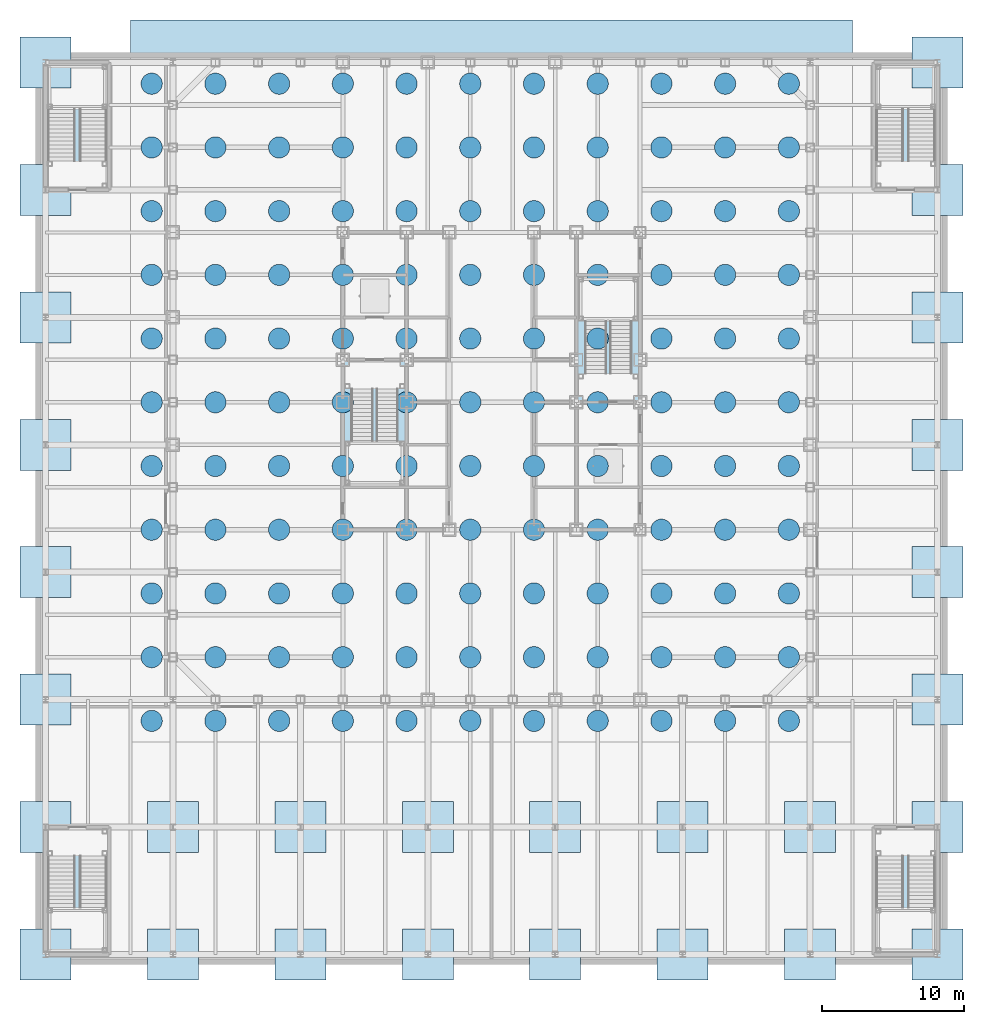
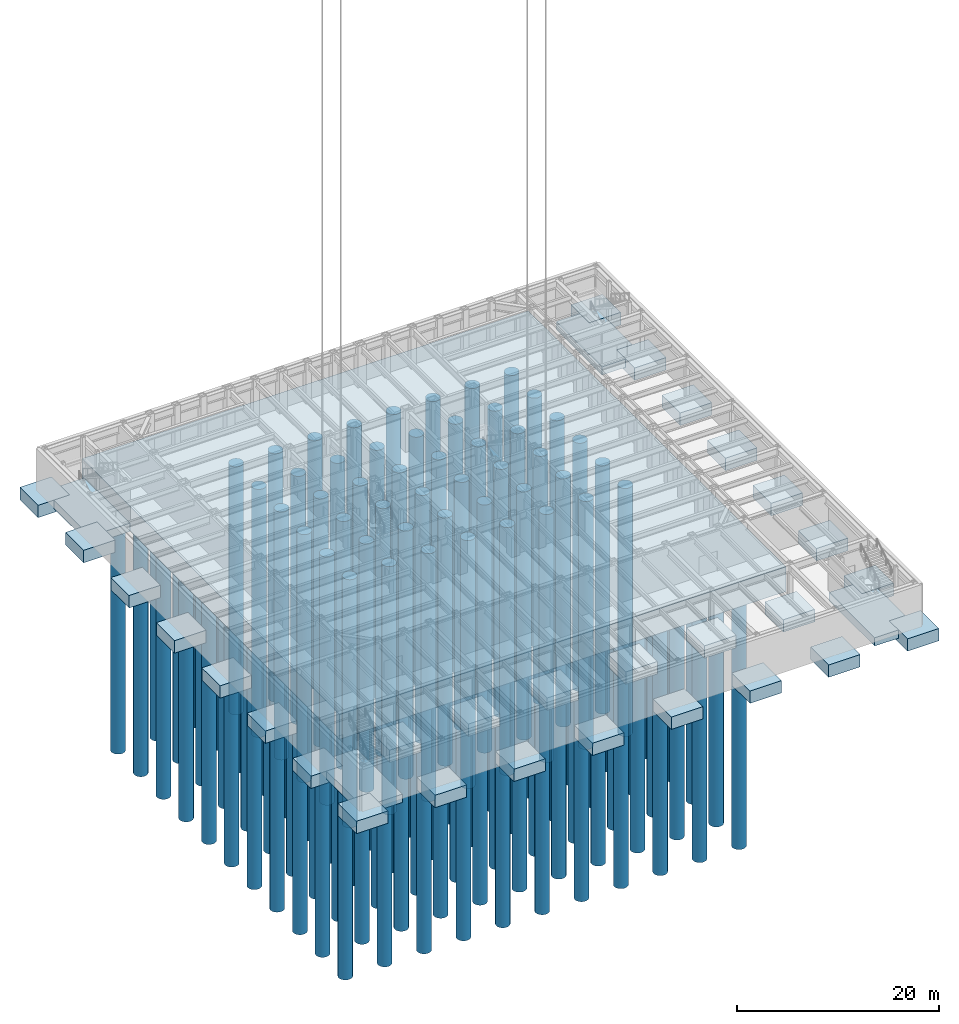
# One storey, part 1 of 18: 121 piles, 33 footings.
"""IFC4 building model written with IfcOpenShell, lengths in metres."""

from ifc_helpers import new_model, si_unit, direction, frame, origin, origin_2d, place, context, subcontext, project, spatial, polyline, rectangle, circle, outline, extrude, material, material_profile, profile_set, type_object, element, save


model = new_model("IFC4")

# Units and contexts
model_context = context("Model", 3, precision=1e-05, world=origin(), true_north=direction((0.0, 1.0)))
body_context = subcontext(model_context, "Body", "Model", "MODEL_VIEW")
ifc_project = project(units=[si_unit("LENGTHUNIT", "METRE"), si_unit("AREAUNIT", "SQUARE_METRE"), si_unit("VOLUMEUNIT", "CUBIC_METRE"), si_unit("PLANEANGLEUNIT", "RADIAN"), si_unit("MASSUNIT", "GRAM", prefix="KILO")], contexts=[model_context])

# Site, building, storey
site_placement = place(None, origin())
site = spatial("IfcSite", under=ifc_project, at=site_placement, CompositionType="ELEMENT")
building_placement = place(site_placement, origin())
building = spatial("IfcBuilding", under=site, at=building_placement, Name="Chuquiago Exchange Tower", CompositionType="ELEMENT")
storey_placement = place(building_placement, frame((0.0, 0.0, -5.0)))
storey = spatial("IfcBuildingStorey", under=building, at=storey_placement, Name="B1", CompositionType="ELEMENT", Elevation=-5.0)

# Footings
ifc_material_1 = material(Name="Concrete C35/45", Category="concrete")
footing_type_1 = type_object("IfcFootingType", Name="F1 pad 3600x3600x1500", PredefinedType="PAD_FOOTING", material=ifc_material_1)
for number, where, z_axis, x_axis, name in (
    (1, (-9.0, -18.0, -1.800048828125), (0.0, 0.0, 1.0), (1.0, 0.0, 0.0), "Pad footing -9_-18"),
    (2, (-9.0, -9.0, -1.800048828125), (0.0, 0.0, 1.0), (1.0, 0.0, 0.0), "Pad footing -9_-9"),
    (3, (-9.0, 0.0, -1.800048828125), (0.0, 0.0, 1.0), (1.0, 0.0, 0.0), "Pad footing -9_0"),
    (4, (-9.0, 9.0, -1.800048828125), (0.0, 0.0, 1.0), (1.0, 0.0, 0.0), "Pad footing -9_9"),
    (5, (-9.0, 18.0, -1.800048828125), (0.0, 0.0, 1.0), (1.0, 0.0, 0.0), "Pad footing -9_18"),
    (6, (-9.0, 27.0, -1.800048828125), (0.0, 0.0, 1.0), (1.0, 0.0, 0.0), "Pad footing -9_27"),
    (7, (-9.0, 36.0, -1.800048828125), (0.0, 0.0, 1.0), (1.0, 0.0, 0.0), "Pad footing -9_36"),
    (8, (-9.0, 45.0, -1.800048828125), (0.0, 0.0, 1.0), (1.0, 0.0, 0.0), "Pad footing -9_45"),
    (9, (0.0, -18.0, -1.800048828125), (0.0, 0.0, 1.0), (1.0, 0.0, 0.0), "Pad footing 0_-18"),
    (10, (0.0, -9.0, -1.800048828125), (0.0, 0.0, 1.0), (1.0, 0.0, 0.0), "Pad footing 0_-9"),
    (11, (9.0, -18.0, -1.800048828125), (0.0, 0.0, 1.0), (1.0, 0.0, 0.0), "Pad footing 9_-18"),
    (12, (9.0, -9.0, -1.800048828125), (0.0, 0.0, 1.0), (1.0, 0.0, 0.0), "Pad footing 9_-9"),
    (13, (18.0, -18.0, -1.800048828125), (0.0, 0.0, 1.0), (1.0, 0.0, 0.0), "Pad footing 18_-18"),
    (14, (18.0, -9.0, -1.800048828125), (0.0, 0.0, 1.0), (1.0, 0.0, 0.0), "Pad footing 18_-9"),
    (15, (27.0, -18.0, -1.800048828125), (0.0, 0.0, 1.0), (1.0, 0.0, 0.0), "Pad footing 27_-18"),
    (16, (27.0, -9.0, -1.800048828125), (0.0, 0.0, 1.0), (1.0, 0.0, 0.0), "Pad footing 27_-9"),
    (17, (36.0, -18.0, -1.800048828125), (0.0, 0.0, 1.0), (1.0, 0.0, 0.0), "Pad footing 36_-18"),
    (18, (36.0, -9.0, -1.800048828125), (0.0, 0.0, 1.0), (1.0, 0.0, 0.0), "Pad footing 36_-9"),
    (19, (45.0, -18.0, -1.800048828125), (0.0, 0.0, 1.0), (1.0, 0.0, 0.0), "Pad footing 45_-18"),
    (20, (45.0, -9.0, -1.800048828125), (0.0, 0.0, 1.0), (1.0, 0.0, 0.0), "Pad footing 45_-9"),
    (21, (54.0, -18.0, -1.800048828125), (0.0, 0.0, 1.0), (1.0, 0.0, 0.0), "Pad footing 54_-18"),
    (22, (54.0, -9.0, -1.800048828125), (0.0, 0.0, 1.0), (1.0, 0.0, 0.0), "Pad footing 54_-9"),
    (23, (54.0, 0.0, -1.800048828125), (0.0, 0.0, 1.0), (1.0, 0.0, 0.0), "Pad footing 54_0"),
    (24, (54.0, 9.0, -1.800048828125), (0.0, 0.0, 1.0), (1.0, 0.0, 0.0), "Pad footing 54_9"),
    (25, (54.0, 18.0, -1.800048828125), (0.0, 0.0, 1.0), (1.0, 0.0, 0.0), "Pad footing 54_18"),
    (26, (54.0, 27.0, -1.800048828125), (0.0, 0.0, 1.0), (1.0, 0.0, 0.0), "Pad footing 54_27"),
    (27, (54.0, 36.0, -1.800048828125), (0.0, 0.0, 1.0), (1.0, 0.0, 0.0), "Pad footing 54_36"),
    (28, (54.0, 45.0, -1.800048828125), (0.0, 0.0, 1.0), (1.0, 0.0, 0.0), "Pad footing 54_45"),
):
    element("IfcFooting", number, at=place(storey_placement, frame(where, z_axis=z_axis, x_axis=x_axis)), inside=storey, type_object=footing_type_1, Name=name, PredefinedType="PAD_FOOTING", context=body_context, shape_type="SweptSolid", body=[
        extrude(rectangle(XDim=3.60009765625, YDim=3.60009765625, at=origin_2d()), origin(), (0.0, 0.0, 1.0), 1.5),
    ])
ifc_material_2 = material(Name="Concrete C35/45", Category="concrete")
footing_type_2 = type_object("IfcFootingType", Name="F2 stair post footing 1000", PredefinedType="PAD_FOOTING", material=ifc_material_2)
footing_1_placement = place(storey_placement, frame((0.0, 0.0, -1.300048828125)))
element("IfcFooting", 29, at=footing_1_placement, inside=storey, type_object=footing_type_2, Name="Stair PS1 post footing", PredefinedType="PAD_FOOTING", context=body_context, shape_type="SweptSolid", body=[
    extrude(outline(polyline([(-4.48193359375, -8.98193359375), (-4.48193359375, -18.01806640625), (-7.199951171875, -18.01806640625), (-7.199951171875, -16.199951171875), (-9.01806640625, -16.199951171875), (-9.01806640625, -10.800048828125), (-7.199951171875, -10.800048828125), (-7.199951171875, -8.98193359375), (-4.48193359375, -8.98193359375)])), origin(), (0.0, 0.0, 1.0), 1.0),
])
footing_2_placement = place(storey_placement, frame((0.0, 0.0, -1.300048828125)))
element("IfcFooting", 30, at=footing_2_placement, inside=storey, type_object=footing_type_2, Name="Stair PS2 post footing", PredefinedType="PAD_FOOTING", context=body_context, shape_type="SweptSolid", body=[
    extrude(outline(polyline([(54.01806640625, -16.199951171875), (52.199951171875, -16.199951171875), (52.199951171875, -18.01806640625), (49.48193359375, -18.01806640625), (49.48193359375, -8.98193359375), (52.199951171875, -8.98193359375), (52.199951171875, -10.800048828125), (54.01806640625, -10.800048828125), (54.01806640625, -16.199951171875)])), origin(), (0.0, 0.0, 1.0), 1.0),
])
footing_3_placement = place(storey_placement, frame((0.0, 0.0, -1.300048828125)))
element("IfcFooting", 31, at=footing_3_placement, inside=storey, type_object=footing_type_2, Name="Stair PS3 post footing", PredefinedType="PAD_FOOTING", context=body_context, shape_type="SweptSolid", body=[
    extrude(outline(polyline([(-4.48193359375, 45.01806640625), (-4.48193359375, 35.98193359375), (-7.199951171875, 35.98193359375), (-7.199951171875, 37.800048828125), (-9.01806640625, 37.800048828125), (-9.01806640625, 43.199951171875), (-7.199951171875, 43.199951171875), (-7.199951171875, 45.01806640625), (-4.48193359375, 45.01806640625)])), origin(), (0.0, 0.0, 1.0), 1.0),
])
footing_4_placement = place(storey_placement, frame((0.0, 0.0, -1.300048828125)))
element("IfcFooting", 32, at=footing_4_placement, inside=storey, type_object=footing_type_2, Name="Stair PS4 post footing", PredefinedType="PAD_FOOTING", context=body_context, shape_type="SweptSolid", body=[
    extrude(outline(polyline([(54.01806640625, 37.800048828125), (52.199951171875, 37.800048828125), (52.199951171875, 35.98193359375), (49.48193359375, 35.98193359375), (49.48193359375, 45.01806640625), (52.199951171875, 45.01806640625), (52.199951171875, 43.199951171875), (54.01806640625, 43.199951171875), (54.01806640625, 37.800048828125)])), origin(), (0.0, 0.0, 1.0), 1.0),
])

# Piles
ifc_material_3 = material(Name="Concrete C40/50", Category="concrete")
ifc_material_profile = material_profile(ifc_material_3, circle(Radius=0.75, at=origin_2d()), Name="D1500")
ifc_profile_set = profile_set([ifc_material_profile], Name="Concrete C40/50")
pile_type = type_object("IfcPileType", Name="P1 bored pile D1500", PredefinedType="BORED", material=ifc_profile_set)
for number, where, z_axis, x_axis, name in (
    (33, (-1.5, -1.5, -3.300048828125), (0.0, 0.0, -1.0), (1.0, 0.0, 0.0), "Pile -1.5_-1.5"),
    (34, (-1.5, 3.0, -3.300048828125), (0.0, 0.0, -1.0), (1.0, 0.0, 0.0), "Pile -1.5_3"),
    (35, (-1.5, 7.5, -3.300048828125), (0.0, 0.0, -1.0), (1.0, 0.0, 0.0), "Pile -1.5_7.5"),
    (36, (-1.5, 12.0, -3.300048828125), (0.0, 0.0, -1.0), (1.0, 0.0, 0.0), "Pile -1.5_12"),
    (37, (-1.5, 16.5, -3.300048828125), (0.0, 0.0, -1.0), (1.0, 0.0, 0.0), "Pile -1.5_16.5"),
    (38, (-1.5, 21.0, -3.300048828125), (0.0, 0.0, -1.0), (1.0, 0.0, 0.0), "Pile -1.5_21"),
    (39, (-1.5, 25.5, -3.300048828125), (0.0, 0.0, -1.0), (1.0, 0.0, 0.0), "Pile -1.5_25.5"),
    (40, (-1.5, 30.0, -3.300048828125), (0.0, 0.0, -1.0), (1.0, 0.0, 0.0), "Pile -1.5_30"),
    (41, (-1.5, 34.5, -3.300048828125), (0.0, 0.0, -1.0), (1.0, 0.0, 0.0), "Pile -1.5_34.5"),
    (42, (-1.5, 39.0, -3.300048828125), (0.0, 0.0, -1.0), (1.0, 0.0, 0.0), "Pile -1.5_39"),
    (43, (-1.5, 43.5, -3.300048828125), (0.0, 0.0, -1.0), (1.0, 0.0, 0.0), "Pile -1.5_43.5"),
    (44, (3.0, -1.5, -3.300048828125), (0.0, 0.0, -1.0), (1.0, 0.0, 0.0), "Pile 3_-1.5"),
    (45, (3.0, 3.0, -3.300048828125), (0.0, 0.0, -1.0), (1.0, 0.0, 0.0), "Pile 3_3"),
    (46, (3.0, 7.5, -3.300048828125), (0.0, 0.0, -1.0), (1.0, 0.0, 0.0), "Pile 3_7.5"),
    (47, (3.0, 12.0, -3.300048828125), (0.0, 0.0, -1.0), (1.0, 0.0, 0.0), "Pile 3_12"),
    (48, (3.0, 16.5, -3.300048828125), (0.0, 0.0, -1.0), (1.0, 0.0, 0.0), "Pile 3_16.5"),
    (49, (3.0, 21.0, -3.300048828125), (0.0, 0.0, -1.0), (1.0, 0.0, 0.0), "Pile 3_21"),
    (50, (3.0, 25.5, -3.300048828125), (0.0, 0.0, -1.0), (1.0, 0.0, 0.0), "Pile 3_25.5"),
    (51, (3.0, 30.0, -3.300048828125), (0.0, 0.0, -1.0), (1.0, 0.0, 0.0), "Pile 3_30"),
    (52, (3.0, 34.5, -3.300048828125), (0.0, 0.0, -1.0), (1.0, 0.0, 0.0), "Pile 3_34.5"),
    (53, (3.0, 39.0, -3.300048828125), (0.0, 0.0, -1.0), (1.0, 0.0, 0.0), "Pile 3_39"),
    (54, (3.0, 43.5, -3.300048828125), (0.0, 0.0, -1.0), (1.0, 0.0, 0.0), "Pile 3_43.5"),
    (55, (7.5, -1.5, -3.300048828125), (0.0, 0.0, -1.0), (1.0, 0.0, 0.0), "Pile 7.5_-1.5"),
    (56, (7.5, 3.0, -3.300048828125), (0.0, 0.0, -1.0), (1.0, 0.0, 0.0), "Pile 7.5_3"),
    (57, (7.5, 7.5, -3.300048828125), (0.0, 0.0, -1.0), (1.0, 0.0, 0.0), "Pile 7.5_7.5"),
    (58, (7.5, 12.0, -3.300048828125), (0.0, 0.0, -1.0), (1.0, 0.0, 0.0), "Pile 7.5_12"),
    (59, (7.5, 16.5, -3.300048828125), (0.0, 0.0, -1.0), (1.0, 0.0, 0.0), "Pile 7.5_16.5"),
    (60, (7.5, 21.0, -3.300048828125), (0.0, 0.0, -1.0), (1.0, 0.0, 0.0), "Pile 7.5_21"),
    (61, (7.5, 25.5, -3.300048828125), (0.0, 0.0, -1.0), (1.0, 0.0, 0.0), "Pile 7.5_25.5"),
    (62, (7.5, 30.0, -3.300048828125), (0.0, 0.0, -1.0), (1.0, 0.0, 0.0), "Pile 7.5_30"),
    (63, (7.5, 34.5, -3.300048828125), (0.0, 0.0, -1.0), (1.0, 0.0, 0.0), "Pile 7.5_34.5"),
    (64, (7.5, 39.0, -3.300048828125), (0.0, 0.0, -1.0), (1.0, 0.0, 0.0), "Pile 7.5_39"),
    (65, (7.5, 43.5, -3.300048828125), (0.0, 0.0, -1.0), (1.0, 0.0, 0.0), "Pile 7.5_43.5"),
    (66, (12.0, -1.5, -3.300048828125), (0.0, 0.0, -1.0), (1.0, 0.0, 0.0), "Pile 12_-1.5"),
    (67, (12.0, 3.0, -3.300048828125), (0.0, 0.0, -1.0), (1.0, 0.0, 0.0), "Pile 12_3"),
    (68, (12.0, 7.5, -3.300048828125), (0.0, 0.0, -1.0), (1.0, 0.0, 0.0), "Pile 12_7.5"),
    (69, (12.0, 12.0, -3.300048828125), (0.0, 0.0, -1.0), (1.0, 0.0, 0.0), "Pile 12_12"),
    (70, (12.0, 16.5, -3.300048828125), (0.0, 0.0, -1.0), (1.0, 0.0, 0.0), "Pile 12_16.5"),
    (71, (12.0, 21.0, -3.300048828125), (0.0, 0.0, -1.0), (1.0, 0.0, 0.0), "Pile 12_21"),
    (72, (12.0, 25.5, -3.300048828125), (0.0, 0.0, -1.0), (1.0, 0.0, 0.0), "Pile 12_25.5"),
    (73, (12.0, 30.0, -3.300048828125), (0.0, 0.0, -1.0), (1.0, 0.0, 0.0), "Pile 12_30"),
    (74, (12.0, 34.5, -3.300048828125), (0.0, 0.0, -1.0), (1.0, 0.0, 0.0), "Pile 12_34.5"),
    (75, (12.0, 39.0, -3.300048828125), (0.0, 0.0, -1.0), (1.0, 0.0, 0.0), "Pile 12_39"),
    (76, (12.0, 43.5, -3.300048828125), (0.0, 0.0, -1.0), (1.0, 0.0, 0.0), "Pile 12_43.5"),
    (77, (16.5, -1.5, -3.300048828125), (0.0, 0.0, -1.0), (1.0, 0.0, 0.0), "Pile 16.5_-1.5"),
    (78, (16.5, 3.0, -3.300048828125), (0.0, 0.0, -1.0), (1.0, 0.0, 0.0), "Pile 16.5_3"),
    (79, (16.5, 7.5, -3.300048828125), (0.0, 0.0, -1.0), (1.0, 0.0, 0.0), "Pile 16.5_7.5"),
    (80, (16.5, 12.0, -3.300048828125), (0.0, 0.0, -1.0), (1.0, 0.0, 0.0), "Pile 16.5_12"),
    (81, (16.5, 16.5, -3.300048828125), (0.0, 0.0, -1.0), (1.0, 0.0, 0.0), "Pile 16.5_16.5"),
    (82, (16.5, 21.0, -3.300048828125), (0.0, 0.0, -1.0), (1.0, 0.0, 0.0), "Pile 16.5_21"),
    (83, (16.5, 25.5, -3.300048828125), (0.0, 0.0, -1.0), (1.0, 0.0, 0.0), "Pile 16.5_25.5"),
    (84, (16.5, 30.0, -3.300048828125), (0.0, 0.0, -1.0), (1.0, 0.0, 0.0), "Pile 16.5_30"),
    (85, (16.5, 34.5, -3.300048828125), (0.0, 0.0, -1.0), (1.0, 0.0, 0.0), "Pile 16.5_34.5"),
    (86, (16.5, 39.0, -3.300048828125), (0.0, 0.0, -1.0), (1.0, 0.0, 0.0), "Pile 16.5_39"),
    (87, (16.5, 43.5, -3.300048828125), (0.0, 0.0, -1.0), (1.0, 0.0, 0.0), "Pile 16.5_43.5"),
    (88, (21.0, -1.5, -3.300048828125), (0.0, 0.0, -1.0), (1.0, 0.0, 0.0), "Pile 21_-1.5"),
    (89, (21.0, 3.0, -3.300048828125), (0.0, 0.0, -1.0), (1.0, 0.0, 0.0), "Pile 21_3"),
    (90, (21.0, 7.5, -3.300048828125), (0.0, 0.0, -1.0), (1.0, 0.0, 0.0), "Pile 21_7.5"),
    (91, (21.0, 12.0, -3.300048828125), (0.0, 0.0, -1.0), (1.0, 0.0, 0.0), "Pile 21_12"),
    (92, (21.0, 16.5, -3.300048828125), (0.0, 0.0, -1.0), (1.0, 0.0, 0.0), "Pile 21_16.5"),
    (93, (21.0, 21.0, -3.300048828125), (0.0, 0.0, -1.0), (1.0, 0.0, 0.0), "Pile 21_21"),
    (94, (21.0, 25.5, -3.300048828125), (0.0, 0.0, -1.0), (1.0, 0.0, 0.0), "Pile 21_25.5"),
    (95, (21.0, 30.0, -3.300048828125), (0.0, 0.0, -1.0), (1.0, 0.0, 0.0), "Pile 21_30"),
    (96, (21.0, 34.5, -3.300048828125), (0.0, 0.0, -1.0), (1.0, 0.0, 0.0), "Pile 21_34.5"),
    (97, (21.0, 39.0, -3.300048828125), (0.0, 0.0, -1.0), (1.0, 0.0, 0.0), "Pile 21_39"),
    (98, (21.0, 43.5, -3.300048828125), (0.0, 0.0, -1.0), (1.0, 0.0, 0.0), "Pile 21_43.5"),
    (99, (25.5, -1.5, -3.300048828125), (0.0, 0.0, -1.0), (1.0, 0.0, 0.0), "Pile 25.5_-1.5"),
    (100, (25.5, 3.0, -3.300048828125), (0.0, 0.0, -1.0), (1.0, 0.0, 0.0), "Pile 25.5_3"),
    (101, (25.5, 7.5, -3.300048828125), (0.0, 0.0, -1.0), (1.0, 0.0, 0.0), "Pile 25.5_7.5"),
    (102, (25.5, 12.0, -3.300048828125), (0.0, 0.0, -1.0), (1.0, 0.0, 0.0), "Pile 25.5_12"),
    (103, (25.5, 16.5, -3.300048828125), (0.0, 0.0, -1.0), (1.0, 0.0, 0.0), "Pile 25.5_16.5"),
    (104, (25.5, 21.0, -3.300048828125), (0.0, 0.0, -1.0), (1.0, 0.0, 0.0), "Pile 25.5_21"),
    (105, (25.5, 25.5, -3.300048828125), (0.0, 0.0, -1.0), (1.0, 0.0, 0.0), "Pile 25.5_25.5"),
    (106, (25.5, 30.0, -3.300048828125), (0.0, 0.0, -1.0), (1.0, 0.0, 0.0), "Pile 25.5_30"),
    (107, (25.5, 34.5, -3.300048828125), (0.0, 0.0, -1.0), (1.0, 0.0, 0.0), "Pile 25.5_34.5"),
    (108, (25.5, 39.0, -3.300048828125), (0.0, 0.0, -1.0), (1.0, 0.0, 0.0), "Pile 25.5_39"),
    (109, (25.5, 43.5, -3.300048828125), (0.0, 0.0, -1.0), (1.0, 0.0, 0.0), "Pile 25.5_43.5"),
    (110, (30.0, -1.5, -3.300048828125), (0.0, 0.0, -1.0), (1.0, 0.0, 0.0), "Pile 30_-1.5"),
    (111, (30.0, 3.0, -3.300048828125), (0.0, 0.0, -1.0), (1.0, 0.0, 0.0), "Pile 30_3"),
    (112, (30.0, 7.5, -3.300048828125), (0.0, 0.0, -1.0), (1.0, 0.0, 0.0), "Pile 30_7.5"),
    (113, (30.0, 12.0, -3.300048828125), (0.0, 0.0, -1.0), (1.0, 0.0, 0.0), "Pile 30_12"),
    (114, (30.0, 16.5, -3.300048828125), (0.0, 0.0, -1.0), (1.0, 0.0, 0.0), "Pile 30_16.5"),
    (115, (30.0, 21.0, -3.300048828125), (0.0, 0.0, -1.0), (1.0, 0.0, 0.0), "Pile 30_21"),
    (116, (30.0, 25.5, -3.300048828125), (0.0, 0.0, -1.0), (1.0, 0.0, 0.0), "Pile 30_25.5"),
    (117, (30.0, 30.0, -3.300048828125), (0.0, 0.0, -1.0), (1.0, 0.0, 0.0), "Pile 30_30"),
    (118, (30.0, 34.5, -3.300048828125), (0.0, 0.0, -1.0), (1.0, 0.0, 0.0), "Pile 30_34.5"),
    (119, (30.0, 39.0, -3.300048828125), (0.0, 0.0, -1.0), (1.0, 0.0, 0.0), "Pile 30_39"),
    (120, (30.0, 43.5, -3.300048828125), (0.0, 0.0, -1.0), (1.0, 0.0, 0.0), "Pile 30_43.5"),
    (121, (34.5, -1.5, -3.300048828125), (0.0, 0.0, -1.0), (1.0, 0.0, 0.0), "Pile 34.5_-1.5"),
    (122, (34.5, 3.0, -3.300048828125), (0.0, 0.0, -1.0), (1.0, 0.0, 0.0), "Pile 34.5_3"),
    (123, (34.5, 7.5, -3.300048828125), (0.0, 0.0, -1.0), (1.0, 0.0, 0.0), "Pile 34.5_7.5"),
    (124, (34.5, 12.0, -3.300048828125), (0.0, 0.0, -1.0), (1.0, 0.0, 0.0), "Pile 34.5_12"),
    (125, (34.5, 16.5, -3.300048828125), (0.0, 0.0, -1.0), (1.0, 0.0, 0.0), "Pile 34.5_16.5"),
    (126, (34.5, 21.0, -3.300048828125), (0.0, 0.0, -1.0), (1.0, 0.0, 0.0), "Pile 34.5_21"),
    (127, (34.5, 25.5, -3.300048828125), (0.0, 0.0, -1.0), (1.0, 0.0, 0.0), "Pile 34.5_25.5"),
    (128, (34.5, 30.0, -3.300048828125), (0.0, 0.0, -1.0), (1.0, 0.0, 0.0), "Pile 34.5_30"),
    (129, (34.5, 34.5, -3.300048828125), (0.0, 0.0, -1.0), (1.0, 0.0, 0.0), "Pile 34.5_34.5"),
    (130, (34.5, 39.0, -3.300048828125), (0.0, 0.0, -1.0), (1.0, 0.0, 0.0), "Pile 34.5_39"),
    (131, (34.5, 43.5, -3.300048828125), (0.0, 0.0, -1.0), (1.0, 0.0, 0.0), "Pile 34.5_43.5"),
    (132, (39.0, -1.5, -3.300048828125), (0.0, 0.0, -1.0), (1.0, 0.0, 0.0), "Pile 39_-1.5"),
    (133, (39.0, 3.0, -3.300048828125), (0.0, 0.0, -1.0), (1.0, 0.0, 0.0), "Pile 39_3"),
    (134, (39.0, 7.5, -3.300048828125), (0.0, 0.0, -1.0), (1.0, 0.0, 0.0), "Pile 39_7.5"),
    (135, (39.0, 12.0, -3.300048828125), (0.0, 0.0, -1.0), (1.0, 0.0, 0.0), "Pile 39_12"),
    (136, (39.0, 16.5, -3.300048828125), (0.0, 0.0, -1.0), (1.0, 0.0, 0.0), "Pile 39_16.5"),
    (137, (39.0, 21.0, -3.300048828125), (0.0, 0.0, -1.0), (1.0, 0.0, 0.0), "Pile 39_21"),
    (138, (39.0, 25.5, -3.300048828125), (0.0, 0.0, -1.0), (1.0, 0.0, 0.0), "Pile 39_25.5"),
    (139, (39.0, 30.0, -3.300048828125), (0.0, 0.0, -1.0), (1.0, 0.0, 0.0), "Pile 39_30"),
    (140, (39.0, 34.5, -3.300048828125), (0.0, 0.0, -1.0), (1.0, 0.0, 0.0), "Pile 39_34.5"),
    (141, (39.0, 39.0, -3.300048828125), (0.0, 0.0, -1.0), (1.0, 0.0, 0.0), "Pile 39_39"),
    (142, (39.0, 43.5, -3.300048828125), (0.0, 0.0, -1.0), (1.0, 0.0, 0.0), "Pile 39_43.5"),
    (143, (43.5, -1.5, -3.300048828125), (0.0, 0.0, -1.0), (1.0, 0.0, 0.0), "Pile 43.5_-1.5"),
    (144, (43.5, 3.0, -3.300048828125), (0.0, 0.0, -1.0), (1.0, 0.0, 0.0), "Pile 43.5_3"),
    (145, (43.5, 7.5, -3.300048828125), (0.0, 0.0, -1.0), (1.0, 0.0, 0.0), "Pile 43.5_7.5"),
    (146, (43.5, 12.0, -3.300048828125), (0.0, 0.0, -1.0), (1.0, 0.0, 0.0), "Pile 43.5_12"),
    (147, (43.5, 16.5, -3.300048828125), (0.0, 0.0, -1.0), (1.0, 0.0, 0.0), "Pile 43.5_16.5"),
    (148, (43.5, 21.0, -3.300048828125), (0.0, 0.0, -1.0), (1.0, 0.0, 0.0), "Pile 43.5_21"),
    (149, (43.5, 25.5, -3.300048828125), (0.0, 0.0, -1.0), (1.0, 0.0, 0.0), "Pile 43.5_25.5"),
    (150, (43.5, 30.0, -3.300048828125), (0.0, 0.0, -1.0), (1.0, 0.0, 0.0), "Pile 43.5_30"),
    (151, (43.5, 34.5, -3.300048828125), (0.0, 0.0, -1.0), (1.0, 0.0, 0.0), "Pile 43.5_34.5"),
    (152, (43.5, 39.0, -3.300048828125), (0.0, 0.0, -1.0), (1.0, 0.0, 0.0), "Pile 43.5_39"),
    (153, (43.5, 43.5, -3.300048828125), (0.0, 0.0, -1.0), (1.0, 0.0, 0.0), "Pile 43.5_43.5"),
):
    element("IfcPile", number, at=place(storey_placement, frame(where, z_axis=z_axis, x_axis=x_axis)), inside=storey, type_object=pile_type, Name=name, PredefinedType="BORED", context=body_context, shape_type="SweptSolid", body=[
        extrude(circle(Radius=0.75, at=origin_2d()), origin(), (0.0, 0.0, 1.0), 30.0),
    ])

# Footing
ifc_material_4 = material(Name="Concrete C40/50", Category="concrete")
footing_type_3 = type_object("IfcFootingType", Name="PR1 piled raft", PredefinedType="USERDEFINED", material=ifc_material_4)
footing_5_placement = place(storey_placement, frame((0.0, 0.0, -3.300048828125)))
element("IfcFooting", 154, at=footing_5_placement, inside=storey, type_object=footing_type_3, Name="Tower piled raft", ObjectType="PILED RAFT", PredefinedType="USERDEFINED", context=body_context, shape_type="SweptSolid", body=[
    extrude(outline(polyline([(-3.0, -3.0), (48.0, -3.0), (48.0, 48.0), (-3.0, 48.0), (-3.0, -3.0)])), origin(), (0.0, 0.0, 1.0), 3.0),
])

save(model, "model.ifc")
